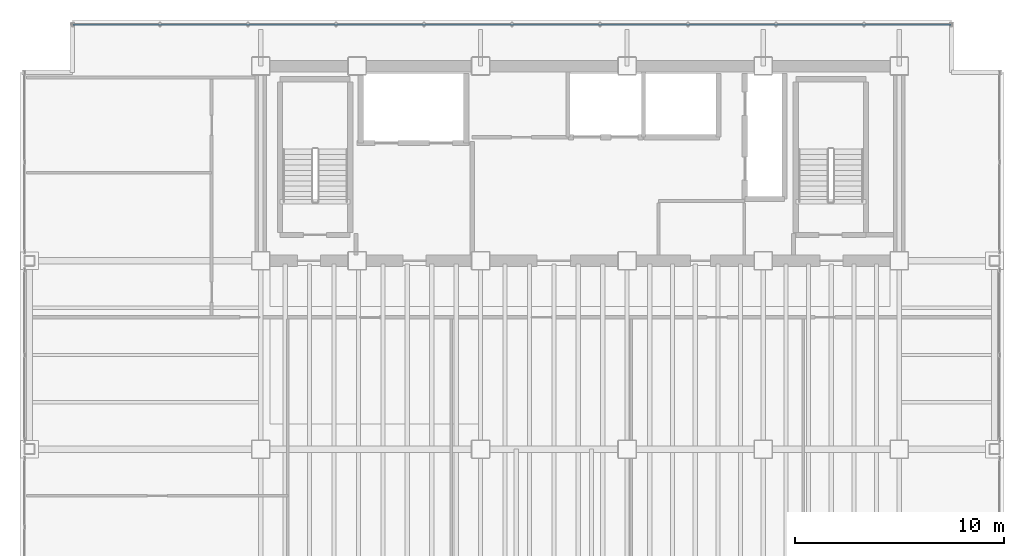
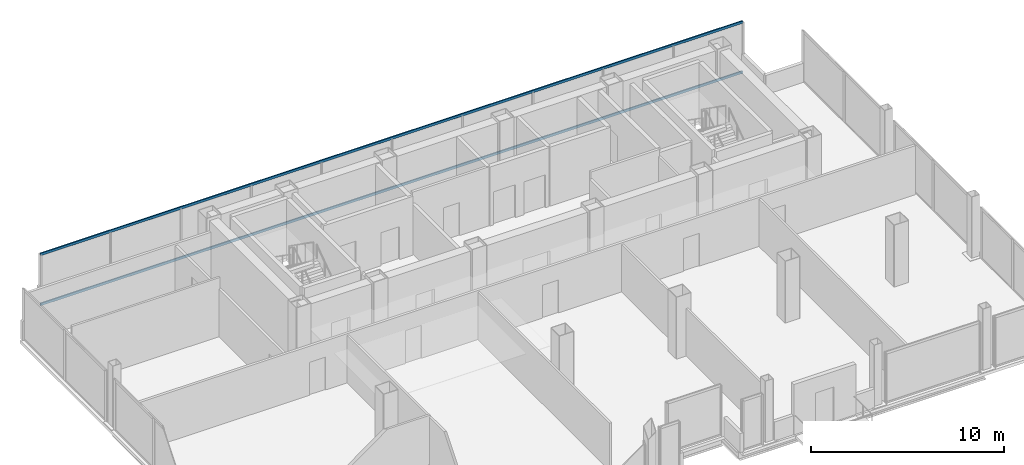
# One storey, part 10 of 20: 2 members, 1 element without a shape of its own.
"""IFC4 building model written with IfcOpenShell, lengths in metres."""

import ifcopenshell
import ifcopenshell.guid

model = None  # the IFC model being written
_history = None  # IfcOwnerHistory: only IFC2X3 demands one
_inside = {}  # id of a spatial element -> (the spatial element, [elements in it])
_under = {}  # id of a project, library or spatial element -> (it, [spatial elements below it])
_declared = {}  # id of a project -> (the project, [libraries it declares])
_typed = {}  # id of a type object -> (the type object, [elements of that type])
_made_of = {}  # id of a material, layer set ... -> (it, [elements and type objects made of it])


def new_model(schema):
    """Start an empty IFC model of exactly this schema.

    Asked for "IFC4X3", IfcOpenShell would pick the latest addendum, in which some entities
    have other attributes; the version numbers below select the first issue.
    IFC2X3 requires an IfcOwnerHistory on every rooted entity: one is made here for all.
    """
    global model, _history
    if schema == "IFC4X3":
        model = ifcopenshell.file(schema_version=(4, 3, 0, 0))
    else:
        model = ifcopenshell.file(schema=schema)
    _inside.clear()
    _under.clear()
    _declared.clear()
    _typed.clear()
    _made_of.clear()
    _history = None
    if model.schema == "IFC2X3":
        org = make("IfcOrganization", Name="unknown")
        user = make(
            "IfcPersonAndOrganization",
            ThePerson=make("IfcPerson", FamilyName="unknown"),
            TheOrganization=org,
        )
        app = make(
            "IfcApplication",
            ApplicationDeveloper=org,
            Version="unknown",
            ApplicationFullName="unknown",
            ApplicationIdentifier="unknown",
        )
        _history = make(
            "IfcOwnerHistory",
            OwningUser=user,
            OwningApplication=app,
            ChangeAction="ADDED",
            CreationDate=0,
        )
    return model


def make(cls, **values):
    """One entity of the class cls with the attributes given. An attribute that is None is left unset."""
    return model.create_entity(
        cls, **{name: value for name, value in values.items() if value is not None}
    )


def rooted(cls, **values):
    """An entity with a GlobalId (a new one), such as an element, a storey or a relation."""
    return make(cls, GlobalId=ifcopenshell.guid.new(), OwnerHistory=_history, **values)


def si_unit(unit_type, name, prefix=None):
    """IfcSIUnit, for example si_unit("LENGTHUNIT", "METRE", prefix="MILLI")."""
    return make("IfcSIUnit", UnitType=unit_type, Prefix=prefix, Name=name)


def assignment(units):
    """IfcUnitAssignment: the units of a project."""
    return None if units is None else make("IfcUnitAssignment", Units=units)


def point(xyz):
    """IfcCartesianPoint."""
    return None if xyz is None else make("IfcCartesianPoint", Coordinates=xyz)


def direction(xyz):
    """IfcDirection."""
    return None if xyz is None else make("IfcDirection", DirectionRatios=xyz)


def frame(location, z_axis=None, x_axis=None):
    """IfcAxis2Placement3D, a coordinate frame: its origin and axes. An axis left out is left unset."""
    return make(
        "IfcAxis2Placement3D",
        Location=point(location),
        Axis=direction(z_axis),
        RefDirection=direction(x_axis),
    )


def frame_2d(location, x_axis=None):
    """IfcAxis2Placement2D, a coordinate frame in the plane: its origin and x axis."""
    return make(
        "IfcAxis2Placement2D", Location=point(location), RefDirection=direction(x_axis)
    )


def origin():
    """The frame at (0, 0, 0) with its axes left unset."""
    return frame((0.0, 0.0, 0.0))


def origin_2d():
    """The frame at (0, 0) in the plane with its x axis left unset."""
    return frame_2d((0.0, 0.0))


def place(relative_to, where):
    """IfcLocalPlacement: puts the frame where relative to a parent placement (None: the world)."""
    return make(
        "IfcLocalPlacement", PlacementRelTo=relative_to, RelativePlacement=where
    )


def context(
    kind, dimensions, precision=None, world=None, true_north=None, identifier=None
):
    """IfcGeometricRepresentationContext, for example the 3D "Model" context."""
    return make(
        "IfcGeometricRepresentationContext",
        ContextIdentifier=identifier,
        ContextType=kind,
        CoordinateSpaceDimension=dimensions,
        Precision=precision,
        WorldCoordinateSystem=world,
        TrueNorth=true_north,
    )


def subcontext(parent, identifier, kind, view, scale=None):
    """IfcGeometricRepresentationSubContext, for example "Body" below "Model"."""
    return make(
        "IfcGeometricRepresentationSubContext",
        ContextIdentifier=identifier,
        ContextType=kind,
        ParentContext=parent,
        TargetScale=scale,
        TargetView=view,
    )


def project(units=None, contexts=None):
    """IfcProject with its units and contexts."""
    return rooted(
        "IfcProject",
        Name="project",
        RepresentationContexts=contexts,
        UnitsInContext=assignment(units),
    )


def spatial(cls, under=None, at=None, **own):
    """A site, building, storey or space (cls), placed at a placement, below another one or the project."""
    s = rooted(cls, ObjectPlacement=at, **own)
    if under is not None:
        _under.setdefault(under.id(), (under, []))[1].append(s)
    return s


def profile(cls, at=None, kind="AREA", **sizes):
    """A parametric profile (cls). Its sizes go by their IFC names, for example OverallWidth=200.0."""
    return make(cls, ProfileType=kind, Position=at, **sizes)


def hollow_rectangle(**sizes):
    """IfcRectangleHollowProfileDef."""
    return profile("IfcRectangleHollowProfileDef", **sizes)


def extrude(swept, where, along, depth):
    """IfcExtrudedAreaSolid: the profile swept, set in the frame where, extruded along a direction by depth."""
    return make(
        "IfcExtrudedAreaSolid",
        SweptArea=swept,
        Position=where,
        ExtrudedDirection=direction(along),
        Depth=depth,
    )


def shape(context_of_items, identifier, shape_type, items):
    """IfcShapeRepresentation: the items that make up one representation, for example the "Body"."""
    return make(
        "IfcShapeRepresentation",
        ContextOfItems=context_of_items,
        RepresentationIdentifier=identifier,
        RepresentationType=shape_type,
        Items=items,
    )


def material(Name=None, Category=None):
    """IfcMaterial."""
    return make("IfcMaterial", Name=Name, Category=Category)


def material_profile(
    of_material, cross_section, Name=None, Category=None, Priority=None
):
    """IfcMaterialProfile: a cross section and its material."""
    return make(
        "IfcMaterialProfile",
        Name=Name,
        Material=of_material,
        Profile=cross_section,
        Priority=Priority,
        Category=Category,
    )


def profile_set(profiles, Name=None, composite=None):
    """IfcMaterialProfileSet."""
    return make(
        "IfcMaterialProfileSet",
        Name=Name,
        MaterialProfiles=profiles,
        CompositeProfile=composite,
    )


def made_of(thing, what):
    """Note that an element or type object is made of a material, layer set ...; save() writes the relation."""
    if what is not None:
        _made_of.setdefault(what.id(), (what, []))[1].append(thing)
    return thing


def type_object(cls, material=None, **own):
    """A type object (cls), such as IfcWallType, which elements share."""
    return made_of(rooted(cls, **own), material)


def element(
    cls,
    number,
    at=None,
    inside=None,
    cuts=None,
    type_object=None,
    material=None,
    context=None,
    identifier="Body",
    shape_type=None,
    held_by="IfcProductDefinitionShape",
    body=None,
    shapes=None,
    **own,
):
    """One element of the class cls, such as IfcWall. Its Tag is "e" and its number.

    at: its placement. inside: the storey or other place that contains it. cuts: it is an
    opening in that element (IfcRelVoidsElement). A single representation is given by context,
    identifier, shape_type and body (its items); several are given by shapes. held_by: the class
    of the entity that holds the representations. save() writes the other relations.
    """
    e = rooted(cls, Tag="e%d" % number, ObjectPlacement=at, **own)
    if body is not None:
        shapes = [shape(context, identifier, shape_type, body)]
    if shapes is not None:
        e.Representation = make(held_by, Representations=shapes)
    if inside is not None:
        _inside.setdefault(inside.id(), (inside, []))[1].append(e)
    if cuts is not None:
        rooted(
            "IfcRelVoidsElement", RelatingBuildingElement=cuts, RelatedOpeningElement=e
        )
    if type_object is not None:
        _typed.setdefault(type_object.id(), (type_object, []))[1].append(e)
    return made_of(e, material)


def aggregate(whole, parts):
    """IfcRelAggregates: a whole, such as a stair, and the parts it consists of."""
    return rooted("IfcRelAggregates", RelatingObject=whole, RelatedObjects=parts)


def save(model, path):
    """Write the relations noted so far, then the file.

    IfcRelAggregates (storeys below a building ...), IfcRelContainedInSpatialStructure (elements
    in a storey), IfcRelDefinesByType, IfcRelAssociatesMaterial and IfcRelDeclares: one each for
    every whole, place, type object, material and project.
    """
    for whole, parts in _under.values():
        aggregate(whole, parts)
    for where, things in _inside.values():
        rooted(
            "IfcRelContainedInSpatialStructure",
            RelatedElements=things,
            RelatingStructure=where,
        )
    for kind, things in _typed.values():
        rooted("IfcRelDefinesByType", RelatedObjects=things, RelatingType=kind)
    for what, things in _made_of.values():
        rooted("IfcRelAssociatesMaterial", RelatedObjects=things, RelatingMaterial=what)
    for by, libraries in _declared.values():
        rooted("IfcRelDeclares", RelatingContext=by, RelatedDefinitions=libraries)
    model.write(path)


model = new_model("IFC4")

# Units and contexts
model_context = context("Model", 3, precision=1e-05, world=origin(), true_north=direction((0.0, 1.0)))
body_context = subcontext(model_context, "Body", "Model", "MODEL_VIEW")
ifc_project = project(units=[si_unit("LENGTHUNIT", "METRE"), si_unit("AREAUNIT", "SQUARE_METRE"), si_unit("VOLUMEUNIT", "CUBIC_METRE"), si_unit("PLANEANGLEUNIT", "RADIAN"), si_unit("MASSUNIT", "GRAM", prefix="KILO")], contexts=[model_context])

# Site, building, storey
site_placement = place(None, origin())
site = spatial("IfcSite", under=ifc_project, at=site_placement, CompositionType="ELEMENT")
building_placement = place(site_placement, origin())
building = spatial("IfcBuilding", under=site, at=building_placement, Name="Noeulbin Bourse Tower", CompositionType="ELEMENT")
storey_placement = place(building_placement, frame((0.0, 0.0, 122.699951171875)))
storey = spatial("IfcBuildingStorey", under=building, at=storey_placement, Name="L30", CompositionType="ELEMENT", Elevation=122.699951171875)

# Curtain wall, members
ifc_material_1 = material(Name="Dark Tinted Triple Glazing", Category="glass")
curtain_wall_type = type_object("IfcCurtainWallType", Name="CW-SYS-3", PredefinedType="NOTDEFINED", material=ifc_material_1)
curtain_wall_placement = place(storey_placement, origin())
curtain_wall = element("IfcCurtainWall", 1, at=curtain_wall_placement, inside=storey, type_object=curtain_wall_type, Name="Unitised Curtain Wall CW-L30-N", PredefinedType="NOTDEFINED")
ifc_material_2 = material(Name="Anodised Aluminium 6063-T6", Category="aluminium")
ifc_material_profile = material_profile(ifc_material_2, hollow_rectangle(XDim=0.074951171875, YDim=0.159912109375, WallThickness=0.0048828125, InnerFilletRadius=0.00244140625, OuterFilletRadius=0.0048828125, at=origin_2d()), Name="ALU-TRAN-75x160x5", Category="LoadBearing")
ifc_profile_set = profile_set([ifc_material_profile], Name="Anodised Aluminium 6063-T6")
member_type = type_object("IfcMemberType", Name="CW-SYS-3-TRN", PredefinedType="USERDEFINED", material=ifc_profile_set)
member_1_placement = place(storey_placement, frame((4.530029296875, 40.280029296875, 0.010009765625), z_axis=(1.0, 0.0, 0.0), x_axis=(0.0, 1.0, 0.0)))
member_1 = element("IfcMember", 2, at=member_1_placement, type_object=member_type, Name="Curtain Wall Transom CW-L30-N-T00", ObjectType="TRANSOM", PredefinedType="USERDEFINED", context=body_context, shape_type="SweptSolid", body=[
    extrude(hollow_rectangle(XDim=0.074951171875, YDim=0.159912109375, WallThickness=0.0048828125, InnerFilletRadius=0.00244140625, OuterFilletRadius=0.0048828125, at=origin_2d()), origin(), (0.0, 0.0, 1.0), 41.93994140625),
])
member_2_placement = place(storey_placement, frame((4.530029296875, 40.280029296875, 3.170166015625), z_axis=(1.0, 0.0, 0.0), x_axis=(0.0, 1.0, 0.0)))
member_2 = element("IfcMember", 3, at=member_2_placement, type_object=member_type, Name="Curtain Wall Transom CW-L30-N-T01", ObjectType="TRANSOM", PredefinedType="USERDEFINED", context=body_context, shape_type="SweptSolid", body=[
    extrude(hollow_rectangle(XDim=0.074951171875, YDim=0.159912109375, WallThickness=0.0048828125, InnerFilletRadius=0.00244140625, OuterFilletRadius=0.0048828125, at=origin_2d()), origin(), (0.0, 0.0, 1.0), 41.93994140625),
])
aggregate(curtain_wall, [member_1, member_2])

save(model, "model.ifc")
